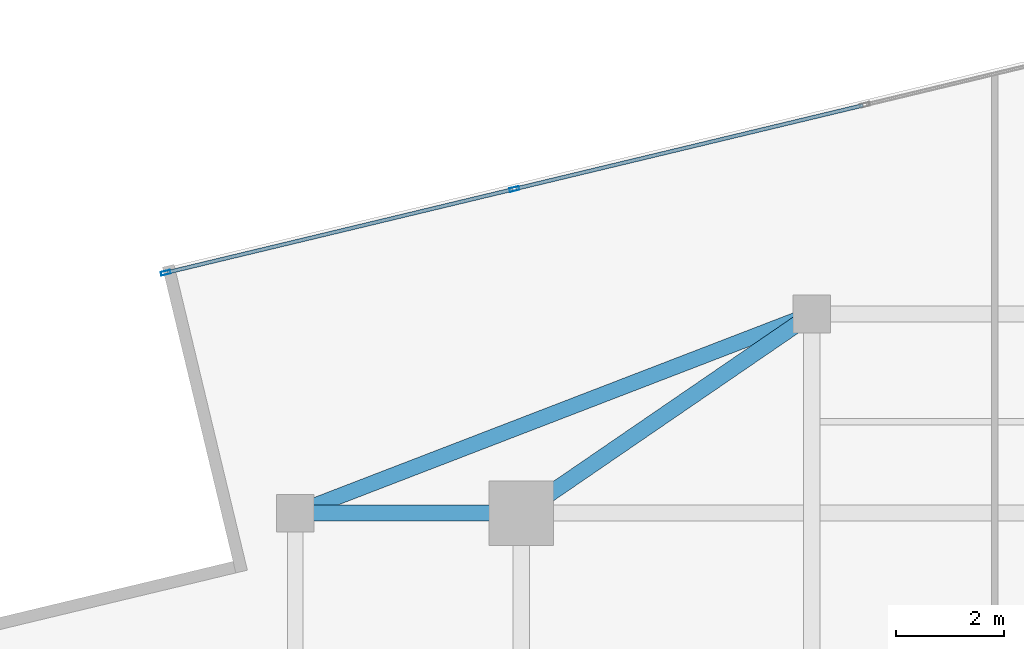
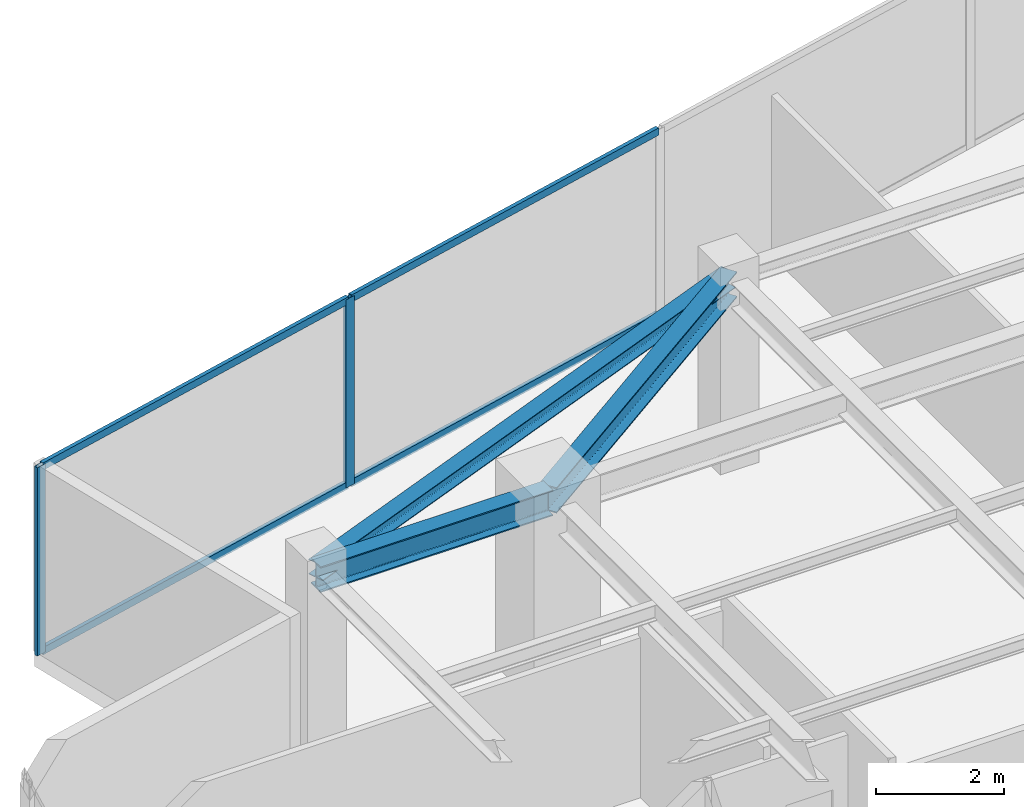
# One storey, part 12 of 22: 6 members, 3 beams, 1 element without a shape of its own.
"""IFC4 building model written with IfcOpenShell, lengths in metres."""

from ifc_helpers import new_model, si_unit, direction, frame, origin, origin_2d, place, context, subcontext, project, spatial, hollow_rectangle, i_section, extrude, source, transform, mapped, material, material_profile, profile_set, type_object, type_shapes, element, aggregate, save


model = new_model("IFC4")

# Units and contexts
model_context = context("Model", 3, precision=1e-05, world=origin(), true_north=direction((0.0, 1.0)))
body_context = subcontext(model_context, "Body", "Model", "MODEL_VIEW")
ifc_project = project(units=[si_unit("LENGTHUNIT", "METRE"), si_unit("AREAUNIT", "SQUARE_METRE"), si_unit("VOLUMEUNIT", "CUBIC_METRE"), si_unit("PLANEANGLEUNIT", "RADIAN"), si_unit("MASSUNIT", "GRAM", prefix="KILO")], contexts=[model_context])

# Site, building, storey
site_placement = place(None, origin())
site = spatial("IfcSite", under=ifc_project, at=site_placement, CompositionType="ELEMENT")
building_placement = place(site_placement, origin())
building = spatial("IfcBuilding", under=site, at=building_placement, Name="Krantzveldt Concourse Tower", CompositionType="ELEMENT")
storey_placement = place(building_placement, frame((0.0, 0.0, 359.300048828125)))
storey = spatial("IfcBuildingStorey", under=building, at=storey_placement, Name="L88", CompositionType="ELEMENT", Elevation=359.300048828125)

# Beams
ifc_material_1 = material(Name="Steel S355JR", Category="steel")
ifc_material_profile_1 = material_profile(ifc_material_1, i_section(OverallWidth=0.300048828125, OverallDepth=0.489990234375, WebThickness=0.011962890625, FlangeThickness=0.02294921875, FilletRadius=0.027099609375, at=origin_2d()), Name="Steel S355JR", Category="steel")
ifc_profile_set_1 = profile_set([ifc_material_profile_1], Name="Steel S355JR - HEA 500")
beam_type_1 = type_object("IfcBeamType", Name="BM-B-HEA500", PredefinedType="BEAM", material=ifc_profile_set_1)
shared_shape_1 = source(origin(), body_context, "Body", "SweptSolid", [
    extrude(i_section(OverallWidth=0.300048828125, OverallDepth=0.489990234375, WebThickness=0.011962890625, FlangeThickness=0.02294921875, FilletRadius=0.027099609375, at=origin_2d()), origin(), (0.0, 0.0, 1.0), 4.199951171875),
])
beam_1_placement = place(storey_placement, frame((21.0, 37.5, 3.35498046875), z_axis=(1.0, 0.0, 0.0), x_axis=(0.0, 1.0, 0.0)))
element("IfcBeam", 1, at=beam_1_placement, inside=storey, type_object=beam_type_1, Name="L88 Tower Girder BR-RL3", PredefinedType="BEAM", context=body_context, shape_type="MappedRepresentation", body=[
    mapped(shared_shape_1, transform((0.0, 0.0, 0.0), x_axis=(1.0, 0.0, 0.0), y_axis=(0.0, 1.0, 0.0), z_axis=(0.0, 0.0, 1.0), scale=1.0)),
])
shared_shape_2 = source(origin(), body_context, "Body", "SweptSolid", [
    extrude(i_section(OverallWidth=0.300048828125, OverallDepth=0.489990234375, WebThickness=0.011962890625, FlangeThickness=0.02294921875, FilletRadius=0.027099609375, at=origin_2d()), origin(), (0.0, 0.0, 1.0), 6.546142578125),
])
type_shapes(beam_type_1, [shared_shape_1, shared_shape_2])
beam_2_placement = place(storey_placement, frame((25.199951171875, 37.5, 3.35498046875), z_axis=(0.824942999484, 0.565215930068, 0.0), x_axis=(-0.565215930068, 0.824942999484, 0.0)))
element("IfcBeam", 2, at=beam_2_placement, inside=storey, type_object=beam_type_1, Name="L88 Tower Girder BR-RL4", PredefinedType="BEAM", context=body_context, shape_type="MappedRepresentation", body=[
    mapped(shared_shape_2, transform((0.0, 0.0, 0.0), x_axis=(1.0, 0.0, 0.0), y_axis=(0.0, 1.0, 0.0), z_axis=(0.0, 0.0, 1.0), scale=1.0)),
])
ifc_material_profile_2 = material_profile(ifc_material_1, i_section(OverallWidth=0.2900390625, OverallDepth=0.2900390625, WebThickness=0.008544921875, FlangeThickness=0.013916015625, FilletRadius=0.027099609375, at=origin_2d()), Name="Steel S355JR", Category="steel")
ifc_profile_set_2 = profile_set([ifc_material_profile_2], Name="Steel S355JR - HEA 300")
beam_type_2 = type_object("IfcBeamType", Name="BM-SP-HEA300", PredefinedType="SPANDREL", material=ifc_profile_set_2)
shared_shape_3 = source(origin(), body_context, "Body", "SweptSolid", [
    extrude(i_section(OverallWidth=0.2900390625, OverallDepth=0.2900390625, WebThickness=0.008544921875, FlangeThickness=0.013916015625, FilletRadius=0.027099609375, at=origin_2d()), origin(), (0.0, 0.0, 1.0), 10.288330078125),
])
type_shapes(beam_type_2, [shared_shape_3])
beam_3_placement = place(storey_placement, frame((21.0, 37.5, 3.454833984375), z_axis=(0.933097690408, 0.359622997257, 0.0), x_axis=(-0.359622997257, 0.933097690408, 0.0)))
element("IfcBeam", 3, at=beam_3_placement, inside=storey, type_object=beam_type_2, Name="L88 Tower Girder SP-R03", PredefinedType="SPANDREL", context=body_context, shape_type="MappedRepresentation", body=[
    mapped(shared_shape_3, transform((0.0, 0.0, 0.0), x_axis=(1.0, 0.0, 0.0), y_axis=(0.0, 1.0, 0.0), z_axis=(0.0, 0.0, 1.0), scale=1.0)),
])

# Curtain wall, members
ifc_material_2 = material(Name="Anodised aluminium 6063-T6", Category="aluminium")
curtain_wall_type = type_object("IfcCurtainWallType", Name="CW4", PredefinedType="USERDEFINED", material=ifc_material_2)
curtain_wall_placement = place(storey_placement, origin())
curtain_wall = element("IfcCurtainWall", 4, at=curtain_wall_placement, inside=storey, type_object=curtain_wall_type, Name="CW-L88-F01", ObjectType="UNITISED CURTAIN WALL", PredefinedType="USERDEFINED")
ifc_material_profile_3 = material_profile(ifc_material_2, hollow_rectangle(XDim=0.070068359375, YDim=0.139892578125, WallThickness=0.0048828125, at=origin_2d()), Name="Anodised aluminium 6063-T6", Category="aluminium")
ifc_profile_set_3 = profile_set([ifc_material_profile_3], Name="Anodised aluminium 6063-T6 - ALU-TRAN 140x70x5")
member_type_1 = type_object("IfcMemberType", Name="CW-TRN-150", PredefinedType="USERDEFINED", material=ifc_profile_set_3)
shared_shape_4 = source(origin(), body_context, "Body", "SweptSolid", [
    extrude(hollow_rectangle(XDim=0.070068359375, YDim=0.139892578125, WallThickness=0.0048828125, at=origin_2d()), origin(), (0.0, 0.0, 1.0), 6.6298828125),
])
member_1_placement = place(storey_placement, frame((31.551513671875, 45.079345703125, 0.034912109375), z_axis=(-0.972365905625, -0.233462085953, 0.0), x_axis=(0.233462085953, -0.972365905625, 0.0)))
member_1 = element("IfcMember", 5, at=member_1_placement, type_object=member_type_1, Name="CW-Z56 transom 3.1", ObjectType="TRANSOM", PredefinedType="USERDEFINED", context=body_context, shape_type="MappedRepresentation", body=[
    mapped(shared_shape_4, transform((0.0, 0.0, 0.0), x_axis=(1.0, 0.0, 0.0), y_axis=(0.0, 1.0, 0.0), z_axis=(0.0, 0.0, 1.0), scale=1.0)),
])
member_2_placement = place(storey_placement, frame((31.551513671875, 45.079345703125, 3.56494140625), z_axis=(-0.972365905625, -0.233462085953, 0.0), x_axis=(0.233462085953, -0.972365905625, 0.0)))
member_2 = element("IfcMember", 6, at=member_2_placement, type_object=member_type_1, Name="CW-Z56 transom 3.2", ObjectType="TRANSOM", PredefinedType="USERDEFINED", context=body_context, shape_type="MappedRepresentation", body=[
    mapped(shared_shape_4, transform((0.0, 0.0, 0.0), x_axis=(1.0, 0.0, 0.0), y_axis=(0.0, 1.0, 0.0), z_axis=(0.0, 0.0, 1.0), scale=1.0)),
])
shared_shape_5 = source(origin(), body_context, "Body", "SweptSolid", [
    extrude(hollow_rectangle(XDim=0.070068359375, YDim=0.139892578125, WallThickness=0.0048828125, at=origin_2d()), origin(), (0.0, 0.0, 1.0), 6.59521484375),
])
type_shapes(member_type_1, [shared_shape_4, shared_shape_5])
member_3_placement = place(storey_placement, frame((25.03662109375, 43.515380859375, 0.034912109375), z_axis=(-0.972362767007, -0.23347515786, 0.0), x_axis=(0.23347515786, -0.972362767007, 0.0)))
member_3 = element("IfcMember", 7, at=member_3_placement, type_object=member_type_1, Name="CW-Z56 transom 4.1", ObjectType="TRANSOM", PredefinedType="USERDEFINED", context=body_context, shape_type="MappedRepresentation", body=[
    mapped(shared_shape_5, transform((0.0, 0.0, 0.0), x_axis=(1.0, 0.0, 0.0), y_axis=(0.0, 1.0, 0.0), z_axis=(0.0, 0.0, 1.0), scale=1.0)),
])
member_4_placement = place(storey_placement, frame((25.03662109375, 43.515380859375, 3.56494140625), z_axis=(-0.972362767007, -0.23347515786, 0.0), x_axis=(0.23347515786, -0.972362767007, 0.0)))
member_4 = element("IfcMember", 8, at=member_4_placement, type_object=member_type_1, Name="CW-Z56 transom 4.2", ObjectType="TRANSOM", PredefinedType="USERDEFINED", context=body_context, shape_type="MappedRepresentation", body=[
    mapped(shared_shape_5, transform((0.0, 0.0, 0.0), x_axis=(1.0, 0.0, 0.0), y_axis=(0.0, 1.0, 0.0), z_axis=(0.0, 0.0, 1.0), scale=1.0)),
])
ifc_material_profile_4 = material_profile(ifc_material_2, hollow_rectangle(XDim=0.070068359375, YDim=0.179931640625, WallThickness=0.0048828125, at=origin_2d()), Name="Anodised aluminium 6063-T6", Category="aluminium")
ifc_profile_set_4 = profile_set([ifc_material_profile_4], Name="Anodised aluminium 6063-T6 - ALU-MULL 180x70x5")
member_type_2 = type_object("IfcMemberType", Name="CW-MUL-180", PredefinedType="MULLION", material=ifc_profile_set_4)
shared_shape_6 = source(origin(), body_context, "Body", "SweptSolid", [
    extrude(hollow_rectangle(XDim=0.070068359375, YDim=0.179931640625, WallThickness=0.0048828125, at=origin_2d()), origin(), (0.0, 0.0, 1.0), 3.599853515625),
])
type_shapes(member_type_2, [shared_shape_6])
member_5_placement = place(storey_placement, frame((25.070556640625, 43.5234375, 0.0), z_axis=(0.0, 0.0, 1.0), x_axis=(0.233445461796, -0.972369896884, 0.0)))
member_5 = element("IfcMember", 9, at=member_5_placement, type_object=member_type_2, Name="CW-Z56 mullion 4", PredefinedType="MULLION", context=body_context, shape_type="MappedRepresentation", body=[
    mapped(shared_shape_6, transform((0.0, 0.0, 0.0), x_axis=(1.0, 0.0, 0.0), y_axis=(0.0, 1.0, 0.0), z_axis=(0.0, 0.0, 1.0), scale=1.0)),
])
member_6_placement = place(storey_placement, frame((18.58984375, 41.967529296875, 0.0), z_axis=(0.0, 0.0, 1.0), x_axis=(0.233445461796, -0.972369896884, 0.0)))
member_6 = element("IfcMember", 10, at=member_6_placement, type_object=member_type_2, Name="CW-Z56 mullion 5", PredefinedType="MULLION", context=body_context, shape_type="MappedRepresentation", body=[
    mapped(shared_shape_6, transform((0.0, 0.0, 0.0), x_axis=(1.0, 0.0, 0.0), y_axis=(0.0, 1.0, 0.0), z_axis=(0.0, 0.0, 1.0), scale=1.0)),
])
aggregate(curtain_wall, [member_5, member_6, member_1, member_2, member_3, member_4])

save(model, "model.ifc")
